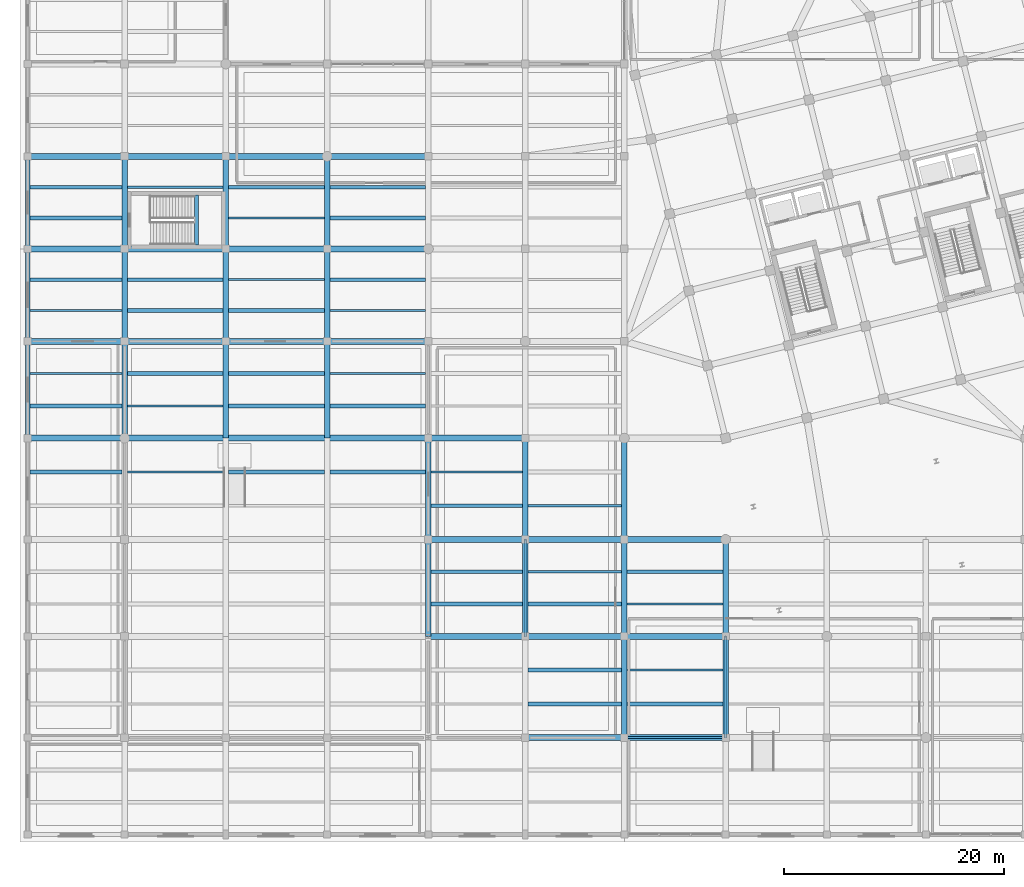
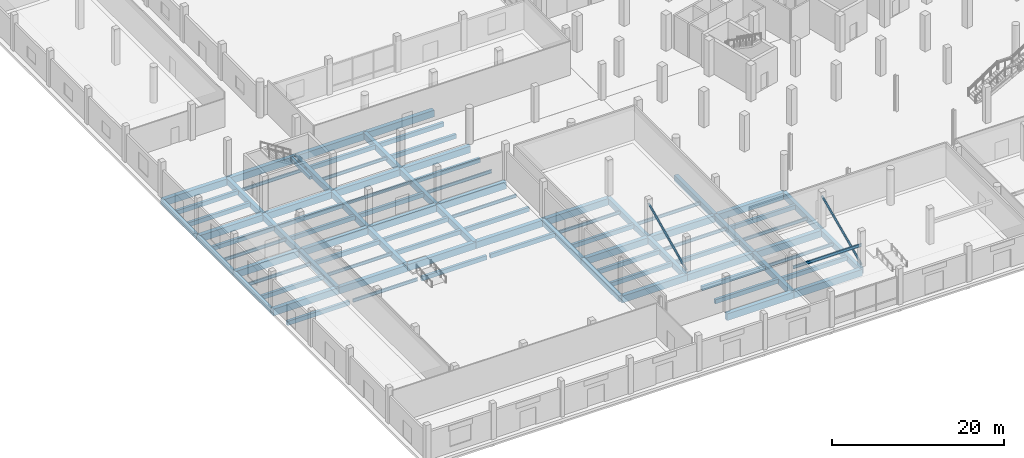
# One storey, part 10 of 73: 88 beams, 2 members.
"""IFC4 building model written with IfcOpenShell, lengths in metres."""

from ifc_helpers import new_model, si_unit, direction, frame, origin, origin_2d, place, context, subcontext, project, spatial, rectangle, hollow_circle, i_section, extrude, material, material_profile, profile_set, type_object, element, save


model = new_model("IFC4")

# Units and contexts
model_context = context("Model", 3, precision=1e-05, world=origin(), true_north=direction((0.0, 1.0)))
body_context = subcontext(model_context, "Body", "Model", "MODEL_VIEW")
ifc_project = project(units=[si_unit("LENGTHUNIT", "METRE"), si_unit("AREAUNIT", "SQUARE_METRE"), si_unit("VOLUMEUNIT", "CUBIC_METRE"), si_unit("PLANEANGLEUNIT", "RADIAN"), si_unit("MASSUNIT", "GRAM", prefix="KILO")], contexts=[model_context])

# Site, building, storey
site_placement = place(None, origin())
site = spatial("IfcSite", under=ifc_project, at=site_placement, CompositionType="ELEMENT")
building_placement = place(site_placement, origin())
building = spatial("IfcBuilding", under=site, at=building_placement, Name="Meriwether Solvik Hall", CompositionType="ELEMENT")
storey_placement = place(building_placement, origin())
storey = spatial("IfcBuildingStorey", under=building, at=storey_placement, Name="L00", CompositionType="ELEMENT", Elevation=0.0)

# Beams
ifc_material_1 = material(Name="Concrete C40/50", Category="concrete")
ifc_material_profile_1 = material_profile(ifc_material_1, rectangle(XDim=0.35009765625, YDim=0.419921875, at=origin_2d()), Name="RCB-350X420")
ifc_profile_set_1 = profile_set([ifc_material_profile_1], Name="Concrete C40/50")
beam_type_1 = type_object("IfcBeamType", Name="BM-LND-RC-350X420", PredefinedType="BEAM", material=ifc_profile_set_1)
beam_1_placement = place(storey_placement, frame((20.52001953125, 58.72998046875, 2.139892578125), z_axis=(0.0, 1.0, 0.0), x_axis=(-1.0, 0.0, 0.0)))
element("IfcBeam", 1, at=beam_1_placement, inside=storey, type_object=beam_type_1, Name="Stair ST-04 Half-Landing Header Beam (L00)", PredefinedType="BEAM", context=body_context, shape_type="SweptSolid", body=[
    extrude(rectangle(XDim=0.35009765625, YDim=0.419921875, at=origin_2d()), origin(), (0.0, 0.0, 1.0), 4.5400390625),
])
ifc_material_2 = material(Name="Concrete C40/50", Category="concrete")
ifc_material_profile_2 = material_profile(ifc_material_2, rectangle(XDim=0.35009765625, YDim=0.60009765625, at=origin_2d()), Name="RCB-350X600")
ifc_profile_set_2 = profile_set([ifc_material_profile_2], Name="Concrete C40/50")
beam_type_2 = type_object("IfcBeamType", Name="BM-RC-350X600", PredefinedType="JOIST", material=ifc_profile_set_2)
for number, where, z_axis, x_axis, name in (
    (2, (5.39501953125, 38.13330078125, -0.659912109375), (1.0, 0.0, 0.0), (0.0, 1.0, 0.0), "Secondary Floor Joist 1/D_J2 (L00)"),
    (3, (5.39501953125, 44.13330078125, -0.659912109375), (1.0, 0.0, 0.0), (0.0, 1.0, 0.0), "Secondary Floor Joist 1/E_J1 (L00)"),
    (4, (5.39501953125, 55.60009765625, -0.659912109375), (1.0, 0.0, 0.0), (0.0, 1.0, 0.0), "Secondary Floor Joist 1/F_J2 (L00)"),
    (5, (5.39501953125, 61.199951171875, -0.659912109375), (1.0, 0.0, 0.0), (0.0, 1.0, 0.0), "Secondary Floor Joist 1/G_J1 (L00)"),
    (6, (5.39501953125, 64.0, -0.659912109375), (1.0, 0.0, 0.0), (0.0, 1.0, 0.0), "Secondary Floor Joist 1/G_J2 (L00)"),
):
    element("IfcBeam", number, at=place(storey_placement, frame(where, z_axis=z_axis, x_axis=x_axis)), inside=storey, type_object=beam_type_2, Name=name, PredefinedType="JOIST", context=body_context, shape_type="SweptSolid", body=[
        extrude(rectangle(XDim=0.35009765625, YDim=0.60009765625, at=origin_2d()), origin(), (0.0, 0.0, 1.0), 8.35986328125),
    ])
for number, where, z_axis, x_axis, name in (
    (7, (14.2451171875, 47.066650390625, -0.659912109375), (1.0, 0.0, 0.0), (0.0, 1.0, 0.0), "Secondary Floor Joist 2/E_J2 (L00)"),
    (8, (14.2451171875, 52.800048828125, -0.659912109375), (1.0, 0.0, 0.0), (0.0, 1.0, 0.0), "Secondary Floor Joist 2/F_J1 (L00)"),
    (9, (14.2451171875, 55.60009765625, -0.659912109375), (1.0, 0.0, 0.0), (0.0, 1.0, 0.0), "Secondary Floor Joist 2/F_J2 (L00)"),
    (10, (23.445068359375, 38.13330078125, -0.659912109375), (1.0, 0.0, 0.0), (0.0, 1.0, 0.0), "Secondary Floor Joist 3/D_J2 (L00)"),
    (11, (23.445068359375, 44.13330078125, -0.659912109375), (1.0, 0.0, 0.0), (0.0, 1.0, 0.0), "Secondary Floor Joist 3/E_J1 (L00)"),
    (12, (23.445068359375, 47.066650390625, -0.659912109375), (1.0, 0.0, 0.0), (0.0, 1.0, 0.0), "Secondary Floor Joist 3/E_J2 (L00)"),
    (13, (23.445068359375, 52.800048828125, -0.659912109375), (1.0, 0.0, 0.0), (0.0, 1.0, 0.0), "Secondary Floor Joist 3/F_J1 (L00)"),
    (14, (23.445068359375, 64.0, -0.659912109375), (1.0, 0.0, 0.0), (0.0, 1.0, 0.0), "Secondary Floor Joist 3/G_J2 (L00)"),
    (15, (32.64501953125, 38.13330078125, -0.659912109375), (1.0, 0.0, 0.0), (0.0, 1.0, 0.0), "Secondary Floor Joist 4/D_J2 (L00)"),
    (16, (32.64501953125, 44.13330078125, -0.659912109375), (1.0, 0.0, 0.0), (0.0, 1.0, 0.0), "Secondary Floor Joist 4/E_J1 (L00)"),
    (17, (32.64501953125, 55.60009765625, -0.659912109375), (1.0, 0.0, 0.0), (0.0, 1.0, 0.0), "Secondary Floor Joist 4/F_J2 (L00)"),
    (18, (32.64501953125, 61.199951171875, -0.659912109375), (1.0, 0.0, 0.0), (0.0, 1.0, 0.0), "Secondary Floor Joist 4/G_J1 (L00)"),
    (19, (32.64501953125, 64.0, -0.659912109375), (1.0, 0.0, 0.0), (0.0, 1.0, 0.0), "Secondary Floor Joist 4/G_J2 (L00)"),
):
    element("IfcBeam", number, at=place(storey_placement, frame(where, z_axis=z_axis, x_axis=x_axis)), inside=storey, type_object=beam_type_2, Name=name, PredefinedType="JOIST", context=body_context, shape_type="SweptSolid", body=[
        extrude(rectangle(XDim=0.35009765625, YDim=0.60009765625, at=origin_2d()), origin(), (0.0, 0.0, 1.0), 8.7099609375),
    ])
for number, where, z_axis, x_axis, name in (
    (20, (41.844970703125, 26.13330078125, -0.659912109375), (1.0, 0.0, 0.0), (0.0, 1.0, 0.0), "Secondary Floor Joist 5/C_J1 (L00)"),
    (21, (41.844970703125, 29.066650390625, -0.659912109375), (1.0, 0.0, 0.0), (0.0, 1.0, 0.0), "Secondary Floor Joist 5/C_J2 (L00)"),
    (22, (41.844970703125, 35.066650390625, -0.659912109375), (1.0, 0.0, 0.0), (0.0, 1.0, 0.0), "Secondary Floor Joist 5/D_J1 (L00)"),
):
    element("IfcBeam", number, at=place(storey_placement, frame(where, z_axis=z_axis, x_axis=x_axis)), inside=storey, type_object=beam_type_2, Name=name, PredefinedType="JOIST", context=body_context, shape_type="SweptSolid", body=[
        extrude(rectangle(XDim=0.35009765625, YDim=0.60009765625, at=origin_2d()), origin(), (0.0, 0.0, 1.0), 8.31005859375),
    ])
for number, where, z_axis, x_axis, name in (
    (23, (50.64501953125, 17.066650390625, -0.659912109375), (1.0, 0.0, 0.0), (0.0, 1.0, 0.0), "Secondary Floor Joist 6/B_J1 (L00)"),
    (24, (50.64501953125, 20.13330078125, -0.659912109375), (1.0, 0.0, 0.0), (0.0, 1.0, 0.0), "Secondary Floor Joist 6/B_J2 (L00)"),
    (25, (50.64501953125, 26.13330078125, -0.659912109375), (1.0, 0.0, 0.0), (0.0, 1.0, 0.0), "Secondary Floor Joist 6/C_J1 (L00)"),
):
    element("IfcBeam", number, at=place(storey_placement, frame(where, z_axis=z_axis, x_axis=x_axis)), inside=storey, type_object=beam_type_2, Name=name, PredefinedType="JOIST", context=body_context, shape_type="SweptSolid", body=[
        extrude(rectangle(XDim=0.35009765625, YDim=0.60009765625, at=origin_2d()), origin(), (0.0, 0.0, 1.0), 8.510009765625),
    ])
for number, where, z_axis, x_axis, name in (
    (26, (59.64501953125, 17.066650390625, -0.659912109375), (1.0, 0.0, 0.0), (0.0, 1.0, 0.0), "Secondary Floor Joist 7/B_J1 (L00)"),
    (27, (59.64501953125, 29.066650390625, -0.659912109375), (1.0, 0.0, 0.0), (0.0, 1.0, 0.0), "Secondary Floor Joist 7/C_J2 (L00)"),
):
    element("IfcBeam", number, at=place(storey_placement, frame(where, z_axis=z_axis, x_axis=x_axis)), inside=storey, type_object=beam_type_2, Name=name, PredefinedType="JOIST", context=body_context, shape_type="SweptSolid", body=[
        extrude(rectangle(XDim=0.35009765625, YDim=0.60009765625, at=origin_2d()), origin(), (0.0, 0.0, 1.0), 8.7099609375),
    ])
ifc_material_3 = material(Name="Concrete C40/50", Category="concrete")
ifc_material_profile_3 = material_profile(ifc_material_3, rectangle(XDim=0.39990234375, YDim=0.64990234375, at=origin_2d()), Name="RCB-400X650")
ifc_profile_set_3 = profile_set([ifc_material_profile_3], Name="Concrete C40/50")
beam_type_3 = type_object("IfcBeamType", Name="BM-RC-400X650", PredefinedType="SPANDREL", material=ifc_profile_set_3)
beam_2_placement = place(storey_placement, frame((5.199951171875, 41.199951171875, -0.68505859375), z_axis=(0.0, 1.0, 0.0), x_axis=(-1.0, 0.0, 0.0)))
element("IfcBeam", 28, at=beam_2_placement, inside=storey, type_object=beam_type_3, Name="Podium Girder 1:E-F (L00)", PredefinedType="SPANDREL", context=body_context, shape_type="SweptSolid", body=[
    extrude(rectangle(XDim=0.39990234375, YDim=0.64990234375, at=origin_2d()), origin(), (0.0, 0.0, 1.0), 8.800048828125),
])
beam_3_placement = place(storey_placement, frame((5.199951171875, 50.0, -0.68505859375), z_axis=(0.0, 1.0, 0.0), x_axis=(-1.0, 0.0, 0.0)))
element("IfcBeam", 29, at=beam_3_placement, inside=storey, type_object=beam_type_3, Name="Podium Girder 1:F-G (L00)", PredefinedType="SPANDREL", context=body_context, shape_type="SweptSolid", body=[
    extrude(rectangle(XDim=0.39990234375, YDim=0.64990234375, at=origin_2d()), origin(), (0.0, 0.0, 1.0), 8.39990234375),
])
beam_4_placement = place(storey_placement, frame((5.199951171875, 58.39990234375, -0.68505859375), z_axis=(0.0, 1.0, 0.0), x_axis=(-1.0, 0.0, 0.0)))
element("IfcBeam", 30, at=beam_4_placement, inside=storey, type_object=beam_type_3, Name="Podium Girder 1:G-H (L00)", PredefinedType="SPANDREL", context=body_context, shape_type="SweptSolid", body=[
    extrude(rectangle(XDim=0.39990234375, YDim=0.64990234375, at=origin_2d()), origin(), (0.0, 0.0, 1.0), 8.400146484375),
])
ifc_material_4 = material(Name="Concrete C40/50", Category="concrete")
ifc_material_profile_4 = material_profile(ifc_material_4, rectangle(XDim=0.5, YDim=0.85009765625, at=origin_2d()), Name="RCB-500X850")
ifc_profile_set_4 = profile_set([ifc_material_profile_4], Name="Concrete C40/50")
beam_type_4 = type_object("IfcBeamType", Name="BM-RC-500X850", PredefinedType="BEAM", material=ifc_profile_set_4)
beam_5_placement = place(storey_placement, frame((14.0, 41.199951171875, -0.784912109375), z_axis=(0.0, 1.0, 0.0), x_axis=(-1.0, 0.0, 0.0)))
element("IfcBeam", 31, at=beam_5_placement, inside=storey, type_object=beam_type_4, Name="Podium Girder 2:E-F (L00)", PredefinedType="BEAM", context=body_context, shape_type="SweptSolid", body=[
    extrude(rectangle(XDim=0.5, YDim=0.85009765625, at=origin_2d()), origin(), (0.0, 0.0, 1.0), 8.800048828125),
])
beam_6_placement = place(storey_placement, frame((14.0, 50.0, -0.784912109375), z_axis=(0.0, 1.0, 0.0), x_axis=(-1.0, 0.0, 0.0)))
element("IfcBeam", 32, at=beam_6_placement, inside=storey, type_object=beam_type_4, Name="Podium Girder 2:F-G (L00)", PredefinedType="BEAM", context=body_context, shape_type="SweptSolid", body=[
    extrude(rectangle(XDim=0.5, YDim=0.85009765625, at=origin_2d()), origin(), (0.0, 0.0, 1.0), 8.39990234375),
])
beam_7_placement = place(storey_placement, frame((14.0, 58.39990234375, -0.784912109375), z_axis=(0.0, 1.0, 0.0), x_axis=(-1.0, 0.0, 0.0)))
element("IfcBeam", 33, at=beam_7_placement, inside=storey, type_object=beam_type_4, Name="Podium Girder 2:G-H (L00)", PredefinedType="BEAM", context=body_context, shape_type="SweptSolid", body=[
    extrude(rectangle(XDim=0.5, YDim=0.85009765625, at=origin_2d()), origin(), (0.0, 0.0, 1.0), 8.400146484375),
])
beam_8_placement = place(storey_placement, frame((23.199951171875, 41.199951171875, -0.784912109375), z_axis=(0.0, 1.0, 0.0), x_axis=(-1.0, 0.0, 0.0)))
element("IfcBeam", 34, at=beam_8_placement, inside=storey, type_object=beam_type_4, Name="Podium Girder 3:E-F (L00)", PredefinedType="BEAM", context=body_context, shape_type="SweptSolid", body=[
    extrude(rectangle(XDim=0.5, YDim=0.85009765625, at=origin_2d()), origin(), (0.0, 0.0, 1.0), 8.800048828125),
])
beam_9_placement = place(storey_placement, frame((23.199951171875, 50.0, -0.784912109375), z_axis=(0.0, 1.0, 0.0), x_axis=(-1.0, 0.0, 0.0)))
element("IfcBeam", 35, at=beam_9_placement, inside=storey, type_object=beam_type_4, Name="Podium Girder 3:F-G (L00)", PredefinedType="BEAM", context=body_context, shape_type="SweptSolid", body=[
    extrude(rectangle(XDim=0.5, YDim=0.85009765625, at=origin_2d()), origin(), (0.0, 0.0, 1.0), 8.39990234375),
])
beam_10_placement = place(storey_placement, frame((23.199951171875, 58.39990234375, -0.784912109375), z_axis=(0.0, 1.0, 0.0), x_axis=(-1.0, 0.0, 0.0)))
element("IfcBeam", 36, at=beam_10_placement, inside=storey, type_object=beam_type_4, Name="Podium Girder 3:G-H (L00)", PredefinedType="BEAM", context=body_context, shape_type="SweptSolid", body=[
    extrude(rectangle(XDim=0.5, YDim=0.85009765625, at=origin_2d()), origin(), (0.0, 0.0, 1.0), 8.400146484375),
])
beam_11_placement = place(storey_placement, frame((32.39990234375, 41.199951171875, -0.784912109375), z_axis=(0.0, 1.0, 0.0), x_axis=(-1.0, 0.0, 0.0)))
element("IfcBeam", 37, at=beam_11_placement, inside=storey, type_object=beam_type_4, Name="Podium Girder 4:E-F (L00)", PredefinedType="BEAM", context=body_context, shape_type="SweptSolid", body=[
    extrude(rectangle(XDim=0.5, YDim=0.85009765625, at=origin_2d()), origin(), (0.0, 0.0, 1.0), 8.800048828125),
])
beam_12_placement = place(storey_placement, frame((32.39990234375, 50.0, -0.784912109375), z_axis=(0.0, 1.0, 0.0), x_axis=(-1.0, 0.0, 0.0)))
element("IfcBeam", 38, at=beam_12_placement, inside=storey, type_object=beam_type_4, Name="Podium Girder 4:F-G (L00)", PredefinedType="BEAM", context=body_context, shape_type="SweptSolid", body=[
    extrude(rectangle(XDim=0.5, YDim=0.85009765625, at=origin_2d()), origin(), (0.0, 0.0, 1.0), 8.39990234375),
])
beam_13_placement = place(storey_placement, frame((32.39990234375, 58.39990234375, -0.784912109375), z_axis=(0.0, 1.0, 0.0), x_axis=(-1.0, 0.0, 0.0)))
element("IfcBeam", 39, at=beam_13_placement, inside=storey, type_object=beam_type_4, Name="Podium Girder 4:G-H (L00)", PredefinedType="BEAM", context=body_context, shape_type="SweptSolid", body=[
    extrude(rectangle(XDim=0.5, YDim=0.85009765625, at=origin_2d()), origin(), (0.0, 0.0, 1.0), 8.400146484375),
])
beam_14_placement = place(storey_placement, frame((41.60009765625, 23.199951171875, -0.784912109375), z_axis=(0.0, 1.0, 0.0), x_axis=(-1.0, 0.0, 0.0)))
element("IfcBeam", 40, at=beam_14_placement, inside=storey, type_object=beam_type_4, Name="Podium Girder 5:C-D (L00)", PredefinedType="BEAM", context=body_context, shape_type="SweptSolid", body=[
    extrude(rectangle(XDim=0.5, YDim=0.85009765625, at=origin_2d()), origin(), (0.0, 0.0, 1.0), 8.800048828125),
])
beam_15_placement = place(storey_placement, frame((41.60009765625, 32.0, -0.784912109375), z_axis=(0.0, 1.0, 0.0), x_axis=(-1.0, 0.0, 0.0)))
element("IfcBeam", 41, at=beam_15_placement, inside=storey, type_object=beam_type_4, Name="Podium Girder 5:D-E (L00)", PredefinedType="BEAM", context=body_context, shape_type="SweptSolid", body=[
    extrude(rectangle(XDim=0.5, YDim=0.85009765625, at=origin_2d()), origin(), (0.0, 0.0, 1.0), 9.199951171875),
])
beam_16_placement = place(storey_placement, frame((50.39990234375, 23.199951171875, -0.784912109375), z_axis=(0.0, 1.0, 0.0), x_axis=(-1.0, 0.0, 0.0)))
element("IfcBeam", 42, at=beam_16_placement, inside=storey, type_object=beam_type_4, Name="Podium Girder 6:C-D (L00)", PredefinedType="BEAM", context=body_context, shape_type="SweptSolid", body=[
    extrude(rectangle(XDim=0.5, YDim=0.85009765625, at=origin_2d()), origin(), (0.0, 0.0, 1.0), 8.800048828125),
])
for number, where, z_axis, x_axis, name in (
    (43, (50.39990234375, 32.0, -0.784912109375), (0.0, 1.0, 0.0), (-1.0, 0.0, 0.0), "Podium Girder 6:D-E (L00)"),
    (44, (59.39990234375, 14.0, -0.784912109375), (0.0, 1.0, 0.0), (-1.0, 0.0, 0.0), "Podium Girder 7:B-C (L00)"),
):
    element("IfcBeam", number, at=place(storey_placement, frame(where, z_axis=z_axis, x_axis=x_axis)), inside=storey, type_object=beam_type_4, Name=name, PredefinedType="BEAM", context=body_context, shape_type="SweptSolid", body=[
        extrude(rectangle(XDim=0.5, YDim=0.85009765625, at=origin_2d()), origin(), (0.0, 0.0, 1.0), 9.199951171875),
    ])
beam_17_placement = place(storey_placement, frame((59.39990234375, 23.199951171875, -0.784912109375), z_axis=(0.0, 1.0, 0.0), x_axis=(-1.0, 0.0, 0.0)))
element("IfcBeam", 45, at=beam_17_placement, inside=storey, type_object=beam_type_4, Name="Podium Girder 7:C-D (L00)", PredefinedType="BEAM", context=body_context, shape_type="SweptSolid", body=[
    extrude(rectangle(XDim=0.5, YDim=0.85009765625, at=origin_2d()), origin(), (0.0, 0.0, 1.0), 8.800048828125),
])
for number, where, z_axis, x_axis, name in (
    (46, (59.39990234375, 32.0, -0.784912109375), (0.0, 1.0, 0.0), (-1.0, 0.0, 0.0), "Podium Girder 7:D-E (L00)"),
    (47, (68.60009765625, 14.0, -0.784912109375), (0.0, 1.0, 0.0), (-1.0, 0.0, 0.0), "Podium Girder 8:B-C (L00)"),
):
    element("IfcBeam", number, at=place(storey_placement, frame(where, z_axis=z_axis, x_axis=x_axis)), inside=storey, type_object=beam_type_4, Name=name, PredefinedType="BEAM", context=body_context, shape_type="SweptSolid", body=[
        extrude(rectangle(XDim=0.5, YDim=0.85009765625, at=origin_2d()), origin(), (0.0, 0.0, 1.0), 9.199951171875),
    ])
beam_18_placement = place(storey_placement, frame((68.60009765625, 23.199951171875, -0.784912109375), z_axis=(0.0, 1.0, 0.0), x_axis=(-1.0, 0.0, 0.0)))
element("IfcBeam", 48, at=beam_18_placement, inside=storey, type_object=beam_type_4, Name="Podium Girder 8:C-D (L00)", PredefinedType="BEAM", context=body_context, shape_type="SweptSolid", body=[
    extrude(rectangle(XDim=0.5, YDim=0.85009765625, at=origin_2d()), origin(), (0.0, 0.0, 1.0), 8.800048828125),
])
ifc_material_5 = material(Name="Concrete C40/50", Category="concrete")
ifc_material_profile_5 = material_profile(ifc_material_5, rectangle(XDim=0.550048828125, YDim=0.949951171875, at=origin_2d()), Name="RCB-550X950")
ifc_profile_set_5 = profile_set([ifc_material_profile_5], Name="Concrete C40/50")
beam_type_5 = type_object("IfcBeamType", Name="BM-RC-550X950", PredefinedType="BEAM", material=ifc_profile_set_5)
beam_19_placement = place(storey_placement, frame((50.39990234375, 14.0, -0.8349609375), z_axis=(1.0, 0.0, 0.0), x_axis=(0.0, 1.0, 0.0)))
element("IfcBeam", 49, at=beam_19_placement, inside=storey, type_object=beam_type_5, Name="Podium Girder B:6-7 (L00)", PredefinedType="BEAM", context=body_context, shape_type="SweptSolid", body=[
    extrude(rectangle(XDim=0.550048828125, YDim=0.949951171875, at=origin_2d()), origin(), (0.0, 0.0, 1.0), 9.0),
])
beam_20_placement = place(storey_placement, frame((59.39990234375, 14.0, -0.8349609375), z_axis=(1.0, 0.0, 0.0), x_axis=(0.0, 1.0, 0.0)))
element("IfcBeam", 50, at=beam_20_placement, inside=storey, type_object=beam_type_5, Name="Podium Girder B:7-8 (L00)", PredefinedType="BEAM", context=body_context, shape_type="SweptSolid", body=[
    extrude(rectangle(XDim=0.550048828125, YDim=0.949951171875, at=origin_2d()), origin(), (0.0, 0.0, 1.0), 9.2001953125),
])
beam_21_placement = place(storey_placement, frame((41.60009765625, 23.199951171875, -0.8349609375), z_axis=(1.0, 0.0, 0.0), x_axis=(0.0, 1.0, 0.0)))
element("IfcBeam", 51, at=beam_21_placement, inside=storey, type_object=beam_type_5, Name="Podium Girder C:5-6 (L00)", PredefinedType="BEAM", context=body_context, shape_type="SweptSolid", body=[
    extrude(rectangle(XDim=0.550048828125, YDim=0.949951171875, at=origin_2d()), origin(), (0.0, 0.0, 1.0), 8.7998046875),
])
beam_22_placement = place(storey_placement, frame((50.39990234375, 23.199951171875, -0.8349609375), z_axis=(1.0, 0.0, 0.0), x_axis=(0.0, 1.0, 0.0)))
element("IfcBeam", 52, at=beam_22_placement, inside=storey, type_object=beam_type_5, Name="Podium Girder C:6-7 (L00)", PredefinedType="BEAM", context=body_context, shape_type="SweptSolid", body=[
    extrude(rectangle(XDim=0.550048828125, YDim=0.949951171875, at=origin_2d()), origin(), (0.0, 0.0, 1.0), 9.0),
])
beam_23_placement = place(storey_placement, frame((59.39990234375, 23.199951171875, -0.8349609375), z_axis=(1.0, 0.0, 0.0), x_axis=(0.0, 1.0, 0.0)))
element("IfcBeam", 53, at=beam_23_placement, inside=storey, type_object=beam_type_5, Name="Podium Girder C:7-8 (L00)", PredefinedType="BEAM", context=body_context, shape_type="SweptSolid", body=[
    extrude(rectangle(XDim=0.550048828125, YDim=0.949951171875, at=origin_2d()), origin(), (0.0, 0.0, 1.0), 9.2001953125),
])
beam_24_placement = place(storey_placement, frame((41.60009765625, 32.0, -0.8349609375), z_axis=(1.0, 0.0, 0.0), x_axis=(0.0, 1.0, 0.0)))
element("IfcBeam", 54, at=beam_24_placement, inside=storey, type_object=beam_type_5, Name="Podium Girder D:5-6 (L00)", PredefinedType="BEAM", context=body_context, shape_type="SweptSolid", body=[
    extrude(rectangle(XDim=0.550048828125, YDim=0.949951171875, at=origin_2d()), origin(), (0.0, 0.0, 1.0), 8.7998046875),
])
beam_25_placement = place(storey_placement, frame((50.39990234375, 32.0, -0.8349609375), z_axis=(1.0, 0.0, 0.0), x_axis=(0.0, 1.0, 0.0)))
element("IfcBeam", 55, at=beam_25_placement, inside=storey, type_object=beam_type_5, Name="Podium Girder D:6-7 (L00)", PredefinedType="BEAM", context=body_context, shape_type="SweptSolid", body=[
    extrude(rectangle(XDim=0.550048828125, YDim=0.949951171875, at=origin_2d()), origin(), (0.0, 0.0, 1.0), 9.0),
])
beam_26_placement = place(storey_placement, frame((59.39990234375, 32.0, -0.8349609375), z_axis=(1.0, 0.0, 0.0), x_axis=(0.0, 1.0, 0.0)))
element("IfcBeam", 56, at=beam_26_placement, inside=storey, type_object=beam_type_5, Name="Podium Girder D:7-8 (L00)", PredefinedType="BEAM", context=body_context, shape_type="SweptSolid", body=[
    extrude(rectangle(XDim=0.550048828125, YDim=0.949951171875, at=origin_2d()), origin(), (0.0, 0.0, 1.0), 9.2001953125),
])
beam_27_placement = place(storey_placement, frame((5.199951171875, 41.199951171875, -0.8349609375), z_axis=(1.0, 0.0, 0.0), x_axis=(0.0, 1.0, 0.0)))
element("IfcBeam", 57, at=beam_27_placement, inside=storey, type_object=beam_type_5, Name="Podium Girder E:1-2 (L00)", PredefinedType="BEAM", context=body_context, shape_type="SweptSolid", body=[
    extrude(rectangle(XDim=0.550048828125, YDim=0.949951171875, at=origin_2d()), origin(), (0.0, 0.0, 1.0), 8.800048828125),
])
for number, where, z_axis, x_axis, name in (
    (58, (14.0, 41.199951171875, -0.8349609375), (1.0, 0.0, 0.0), (0.0, 1.0, 0.0), "Podium Girder E:2-3 (L00)"),
    (59, (23.199951171875, 41.199951171875, -0.8349609375), (1.0, 0.0, 0.0), (0.0, 1.0, 0.0), "Podium Girder E:3-4 (L00)"),
):
    element("IfcBeam", number, at=place(storey_placement, frame(where, z_axis=z_axis, x_axis=x_axis)), inside=storey, type_object=beam_type_5, Name=name, PredefinedType="BEAM", context=body_context, shape_type="SweptSolid", body=[
        extrude(rectangle(XDim=0.550048828125, YDim=0.949951171875, at=origin_2d()), origin(), (0.0, 0.0, 1.0), 9.199951171875),
    ])
beam_28_placement = place(storey_placement, frame((32.39990234375, 41.199951171875, -0.8349609375), z_axis=(1.0, 0.0, 0.0), x_axis=(0.0, 1.0, 0.0)))
element("IfcBeam", 60, at=beam_28_placement, inside=storey, type_object=beam_type_5, Name="Podium Girder E:4-5 (L00)", PredefinedType="BEAM", context=body_context, shape_type="SweptSolid", body=[
    extrude(rectangle(XDim=0.550048828125, YDim=0.949951171875, at=origin_2d()), origin(), (0.0, 0.0, 1.0), 9.2001953125),
])
beam_29_placement = place(storey_placement, frame((41.60009765625, 41.199951171875, -0.8349609375), z_axis=(1.0, 0.0, 0.0), x_axis=(0.0, 1.0, 0.0)))
element("IfcBeam", 61, at=beam_29_placement, inside=storey, type_object=beam_type_5, Name="Podium Girder E:5-6 (L00)", PredefinedType="BEAM", context=body_context, shape_type="SweptSolid", body=[
    extrude(rectangle(XDim=0.550048828125, YDim=0.949951171875, at=origin_2d()), origin(), (0.0, 0.0, 1.0), 8.7998046875),
])
beam_30_placement = place(storey_placement, frame((5.199951171875, 50.0, -0.8349609375), z_axis=(1.0, 0.0, 0.0), x_axis=(0.0, 1.0, 0.0)))
element("IfcBeam", 62, at=beam_30_placement, inside=storey, type_object=beam_type_5, Name="Podium Girder F:1-2 (L00)", PredefinedType="BEAM", context=body_context, shape_type="SweptSolid", body=[
    extrude(rectangle(XDim=0.550048828125, YDim=0.949951171875, at=origin_2d()), origin(), (0.0, 0.0, 1.0), 8.800048828125),
])
for number, where, z_axis, x_axis, name in (
    (63, (14.0, 50.0, -0.8349609375), (1.0, 0.0, 0.0), (0.0, 1.0, 0.0), "Podium Girder F:2-3 (L00)"),
    (64, (23.199951171875, 50.0, -0.8349609375), (1.0, 0.0, 0.0), (0.0, 1.0, 0.0), "Podium Girder F:3-4 (L00)"),
):
    element("IfcBeam", number, at=place(storey_placement, frame(where, z_axis=z_axis, x_axis=x_axis)), inside=storey, type_object=beam_type_5, Name=name, PredefinedType="BEAM", context=body_context, shape_type="SweptSolid", body=[
        extrude(rectangle(XDim=0.550048828125, YDim=0.949951171875, at=origin_2d()), origin(), (0.0, 0.0, 1.0), 9.199951171875),
    ])
beam_31_placement = place(storey_placement, frame((32.39990234375, 50.0, -0.8349609375), z_axis=(1.0, 0.0, 0.0), x_axis=(0.0, 1.0, 0.0)))
element("IfcBeam", 65, at=beam_31_placement, inside=storey, type_object=beam_type_5, Name="Podium Girder F:4-5 (L00)", PredefinedType="BEAM", context=body_context, shape_type="SweptSolid", body=[
    extrude(rectangle(XDim=0.550048828125, YDim=0.949951171875, at=origin_2d()), origin(), (0.0, 0.0, 1.0), 9.2001953125),
])
beam_32_placement = place(storey_placement, frame((5.199951171875, 58.39990234375, -0.8349609375), z_axis=(1.0, 0.0, 0.0), x_axis=(0.0, 1.0, 0.0)))
element("IfcBeam", 66, at=beam_32_placement, inside=storey, type_object=beam_type_5, Name="Podium Girder G:1-2 (L00)", PredefinedType="BEAM", context=body_context, shape_type="SweptSolid", body=[
    extrude(rectangle(XDim=0.550048828125, YDim=0.949951171875, at=origin_2d()), origin(), (0.0, 0.0, 1.0), 8.800048828125),
])
for number, where, z_axis, x_axis, name in (
    (67, (14.0, 58.39990234375, -0.8349609375), (1.0, 0.0, 0.0), (0.0, 1.0, 0.0), "Podium Girder G:2-3 (L00)"),
    (68, (23.199951171875, 58.39990234375, -0.8349609375), (1.0, 0.0, 0.0), (0.0, 1.0, 0.0), "Podium Girder G:3-4 (L00)"),
):
    element("IfcBeam", number, at=place(storey_placement, frame(where, z_axis=z_axis, x_axis=x_axis)), inside=storey, type_object=beam_type_5, Name=name, PredefinedType="BEAM", context=body_context, shape_type="SweptSolid", body=[
        extrude(rectangle(XDim=0.550048828125, YDim=0.949951171875, at=origin_2d()), origin(), (0.0, 0.0, 1.0), 9.199951171875),
    ])
beam_33_placement = place(storey_placement, frame((32.39990234375, 58.39990234375, -0.8349609375), z_axis=(1.0, 0.0, 0.0), x_axis=(0.0, 1.0, 0.0)))
element("IfcBeam", 69, at=beam_33_placement, inside=storey, type_object=beam_type_5, Name="Podium Girder G:4-5 (L00)", PredefinedType="BEAM", context=body_context, shape_type="SweptSolid", body=[
    extrude(rectangle(XDim=0.550048828125, YDim=0.949951171875, at=origin_2d()), origin(), (0.0, 0.0, 1.0), 9.2001953125),
])
beam_34_placement = place(storey_placement, frame((5.199951171875, 66.800048828125, -0.8349609375), z_axis=(1.0, 0.0, 0.0), x_axis=(0.0, 1.0, 0.0)))
element("IfcBeam", 70, at=beam_34_placement, inside=storey, type_object=beam_type_5, Name="Podium Girder H:1-2 (L00)", PredefinedType="BEAM", context=body_context, shape_type="SweptSolid", body=[
    extrude(rectangle(XDim=0.550048828125, YDim=0.949951171875, at=origin_2d()), origin(), (0.0, 0.0, 1.0), 8.800048828125),
])
for number, where, z_axis, x_axis, name in (
    (71, (14.0, 66.800048828125, -0.8349609375), (1.0, 0.0, 0.0), (0.0, 1.0, 0.0), "Podium Girder H:2-3 (L00)"),
    (72, (23.199951171875, 66.800048828125, -0.8349609375), (1.0, 0.0, 0.0), (0.0, 1.0, 0.0), "Podium Girder H:3-4 (L00)"),
):
    element("IfcBeam", number, at=place(storey_placement, frame(where, z_axis=z_axis, x_axis=x_axis)), inside=storey, type_object=beam_type_5, Name=name, PredefinedType="BEAM", context=body_context, shape_type="SweptSolid", body=[
        extrude(rectangle(XDim=0.550048828125, YDim=0.949951171875, at=origin_2d()), origin(), (0.0, 0.0, 1.0), 9.199951171875),
    ])
beam_35_placement = place(storey_placement, frame((32.39990234375, 66.800048828125, -0.8349609375), z_axis=(1.0, 0.0, 0.0), x_axis=(0.0, 1.0, 0.0)))
element("IfcBeam", 73, at=beam_35_placement, inside=storey, type_object=beam_type_5, Name="Podium Girder H:4-5 (L00)", PredefinedType="BEAM", context=body_context, shape_type="SweptSolid", body=[
    extrude(rectangle(XDim=0.550048828125, YDim=0.949951171875, at=origin_2d()), origin(), (0.0, 0.0, 1.0), 9.2001953125),
])
ifc_material_6 = material(Name="Steel A992 Grade 50", Category="steel")
ifc_material_profile_6 = material_profile(ifc_material_6, i_section(OverallWidth=0.177978515625, OverallDepth=0.406982421875, WebThickness=0.0078125, FlangeThickness=0.0126953125, at=origin_2d()), Name="W16X40")
ifc_profile_set_6 = profile_set([ifc_material_profile_6], Name="Steel A992 Grade 50")
beam_type_6 = type_object("IfcBeamType", Name="BM-STL-W16X40", PredefinedType="LINTEL", material=ifc_profile_set_6)
beam_36_placement = place(storey_placement, frame((59.39990234375, 14.0, 2.946533203125), z_axis=(1.0, 0.0, 0.0), x_axis=(0.0, 1.0, 0.0)))
element("IfcBeam", 74, at=beam_36_placement, inside=storey, type_object=beam_type_6, Name="Galleria Portal Lintel B:7-8 (L00)", PredefinedType="LINTEL", context=body_context, shape_type="SweptSolid", body=[
    extrude(i_section(OverallWidth=0.177978515625, OverallDepth=0.406982421875, WebThickness=0.0078125, FlangeThickness=0.0126953125, at=origin_2d()), origin(), (0.0, 0.0, 1.0), 9.2001953125),
])
ifc_material_7 = material(Name="Steel A992 Grade 50", Category="steel")
ifc_material_profile_7 = material_profile(ifc_material_7, i_section(OverallWidth=0.19091796875, OverallDepth=0.45703125, WebThickness=0.009033203125, FlangeThickness=0.014404296875, at=origin_2d()), Name="W18X50")
ifc_profile_set_7 = profile_set([ifc_material_profile_7], Name="Steel A992 Grade 50")
beam_type_7 = type_object("IfcBeamType", Name="BM-STL-W18X50", PredefinedType="JOIST", material=ifc_profile_set_7)
for number, where, z_axis, x_axis, name in (
    (75, (5.39501953125, 47.066650390625, -0.58837890625), (1.0, 0.0, 0.0), (0.0, 1.0, 0.0), "Secondary Floor Joist 1/E_J2 (L00)"),
    (76, (5.39501953125, 52.800048828125, -0.58837890625), (1.0, 0.0, 0.0), (0.0, 1.0, 0.0), "Secondary Floor Joist 1/F_J1 (L00)"),
):
    element("IfcBeam", number, at=place(storey_placement, frame(where, z_axis=z_axis, x_axis=x_axis)), inside=storey, type_object=beam_type_7, Name=name, PredefinedType="JOIST", context=body_context, shape_type="SweptSolid", body=[
        extrude(i_section(OverallWidth=0.19091796875, OverallDepth=0.45703125, WebThickness=0.009033203125, FlangeThickness=0.014404296875, at=origin_2d()), origin(), (0.0, 0.0, 1.0), 8.35986328125),
    ])
for number, where, z_axis, x_axis, name in (
    (77, (14.2451171875, 38.13330078125, -0.58837890625), (1.0, 0.0, 0.0), (0.0, 1.0, 0.0), "Secondary Floor Joist 2/D_J2 (L00)"),
    (78, (14.2451171875, 44.13330078125, -0.58837890625), (1.0, 0.0, 0.0), (0.0, 1.0, 0.0), "Secondary Floor Joist 2/E_J1 (L00)"),
    (79, (14.2451171875, 64.0, -0.58837890625), (1.0, 0.0, 0.0), (0.0, 1.0, 0.0), "Secondary Floor Joist 2/G_J2 (L00)"),
    (80, (23.445068359375, 55.60009765625, -0.58837890625), (1.0, 0.0, 0.0), (0.0, 1.0, 0.0), "Secondary Floor Joist 3/F_J2 (L00)"),
    (81, (23.445068359375, 61.199951171875, -0.58837890625), (1.0, 0.0, 0.0), (0.0, 1.0, 0.0), "Secondary Floor Joist 3/G_J1 (L00)"),
    (82, (32.64501953125, 47.066650390625, -0.58837890625), (1.0, 0.0, 0.0), (0.0, 1.0, 0.0), "Secondary Floor Joist 4/E_J2 (L00)"),
    (83, (32.64501953125, 52.800048828125, -0.58837890625), (1.0, 0.0, 0.0), (0.0, 1.0, 0.0), "Secondary Floor Joist 4/F_J1 (L00)"),
):
    element("IfcBeam", number, at=place(storey_placement, frame(where, z_axis=z_axis, x_axis=x_axis)), inside=storey, type_object=beam_type_7, Name=name, PredefinedType="JOIST", context=body_context, shape_type="SweptSolid", body=[
        extrude(i_section(OverallWidth=0.19091796875, OverallDepth=0.45703125, WebThickness=0.009033203125, FlangeThickness=0.014404296875, at=origin_2d()), origin(), (0.0, 0.0, 1.0), 8.7099609375),
    ])
beam_37_placement = place(storey_placement, frame((41.844970703125, 38.13330078125, -0.58837890625), z_axis=(1.0, 0.0, 0.0), x_axis=(0.0, 1.0, 0.0)))
element("IfcBeam", 84, at=beam_37_placement, inside=storey, type_object=beam_type_7, Name="Secondary Floor Joist 5/D_J2 (L00)", PredefinedType="JOIST", context=body_context, shape_type="SweptSolid", body=[
    extrude(i_section(OverallWidth=0.19091796875, OverallDepth=0.45703125, WebThickness=0.009033203125, FlangeThickness=0.014404296875, at=origin_2d()), origin(), (0.0, 0.0, 1.0), 8.31005859375),
])
for number, where, z_axis, x_axis, name in (
    (85, (50.64501953125, 29.066650390625, -0.58837890625), (1.0, 0.0, 0.0), (0.0, 1.0, 0.0), "Secondary Floor Joist 6/C_J2 (L00)"),
    (86, (50.64501953125, 35.066650390625, -0.58837890625), (1.0, 0.0, 0.0), (0.0, 1.0, 0.0), "Secondary Floor Joist 6/D_J1 (L00)"),
):
    element("IfcBeam", number, at=place(storey_placement, frame(where, z_axis=z_axis, x_axis=x_axis)), inside=storey, type_object=beam_type_7, Name=name, PredefinedType="JOIST", context=body_context, shape_type="SweptSolid", body=[
        extrude(i_section(OverallWidth=0.19091796875, OverallDepth=0.45703125, WebThickness=0.009033203125, FlangeThickness=0.014404296875, at=origin_2d()), origin(), (0.0, 0.0, 1.0), 8.510009765625),
    ])
for number, where, z_axis, x_axis, name in (
    (87, (59.64501953125, 20.13330078125, -0.58837890625), (1.0, 0.0, 0.0), (0.0, 1.0, 0.0), "Secondary Floor Joist 7/B_J2 (L00)"),
    (88, (59.64501953125, 26.13330078125, -0.58837890625), (1.0, 0.0, 0.0), (0.0, 1.0, 0.0), "Secondary Floor Joist 7/C_J1 (L00)"),
):
    element("IfcBeam", number, at=place(storey_placement, frame(where, z_axis=z_axis, x_axis=x_axis)), inside=storey, type_object=beam_type_7, Name=name, PredefinedType="JOIST", context=body_context, shape_type="SweptSolid", body=[
        extrude(i_section(OverallWidth=0.19091796875, OverallDepth=0.45703125, WebThickness=0.009033203125, FlangeThickness=0.014404296875, at=origin_2d()), origin(), (0.0, 0.0, 1.0), 8.7099609375),
    ])

# Members
ifc_material_8 = material(Name="Steel A500 Grade C", Category="steel")
ifc_material_profile_8 = material_profile(ifc_material_8, hollow_circle(Radius=0.136474609375, WallThickness=0.0126953125, at=origin_2d()), Name="CHS273X12.7")
ifc_profile_set_8 = profile_set([ifc_material_profile_8], Name="Steel A500 Grade C")
member_type = type_object("IfcMemberType", Name="MEM-BR-CHS273", PredefinedType="BRACE", material=ifc_profile_set_8)
member_1_placement = place(storey_placement, frame((50.39990234375, 23.199951171875, 0.14990234375), z_axis=(0.0, 0.904464106552, 0.426549739139), x_axis=(-1.0, 0.0, 0.0)))
element("IfcMember", 89, at=member_1_placement, inside=storey, type_object=member_type, Name="Podium Diagonal Brace L00-PB1", PredefinedType="BRACE", context=body_context, shape_type="SweptSolid", body=[
    extrude(hollow_circle(Radius=0.136474609375, WallThickness=0.0126953125, at=origin_2d()), origin(), (0.0, 0.0, 1.0), 9.7294921875),
])
member_2_placement = place(storey_placement, frame((68.60009765625, 14.0, 0.14990234375), z_axis=(0.0, 0.911544091382, 0.411202346135), x_axis=(-1.0, 0.0, 0.0)))
element("IfcMember", 90, at=member_2_placement, inside=storey, type_object=member_type, Name="Podium Diagonal Brace L00-PB2", PredefinedType="BRACE", context=body_context, shape_type="SweptSolid", body=[
    extrude(hollow_circle(Radius=0.136474609375, WallThickness=0.0126953125, at=origin_2d()), origin(), (0.0, 0.0, 1.0), 10.0927734375),
])

save(model, "model.ifc")
